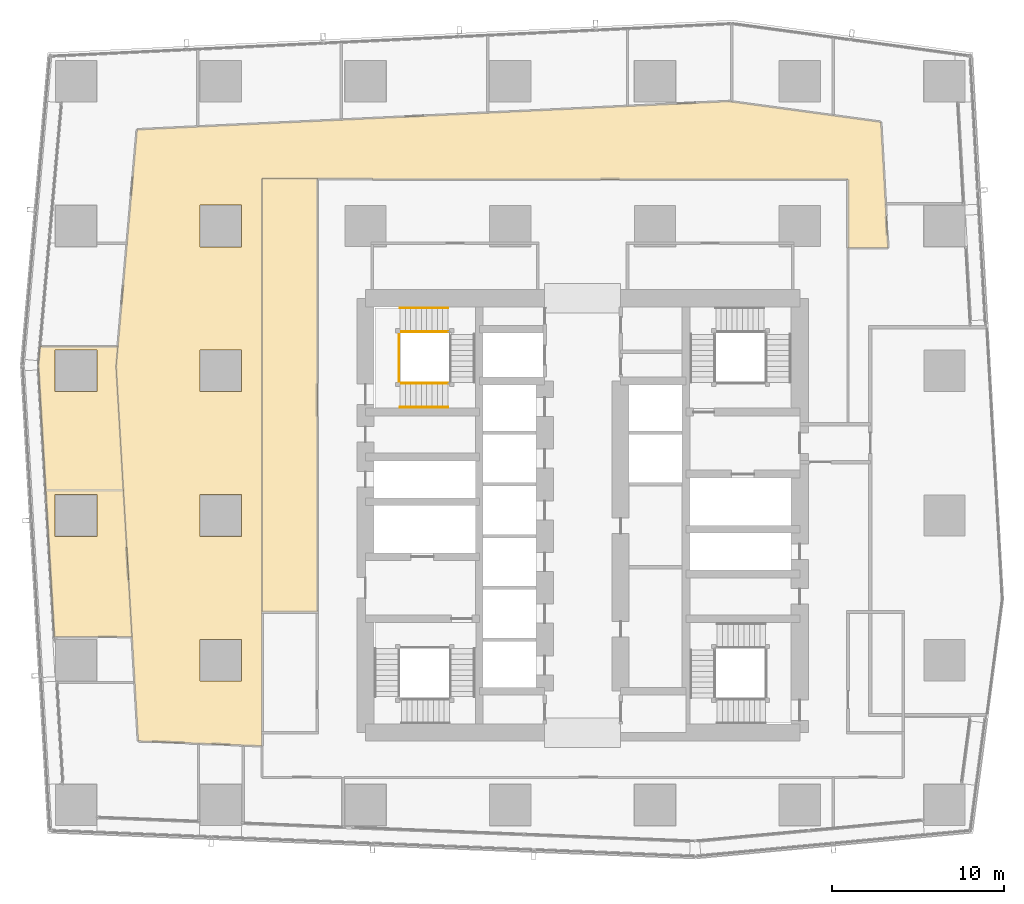
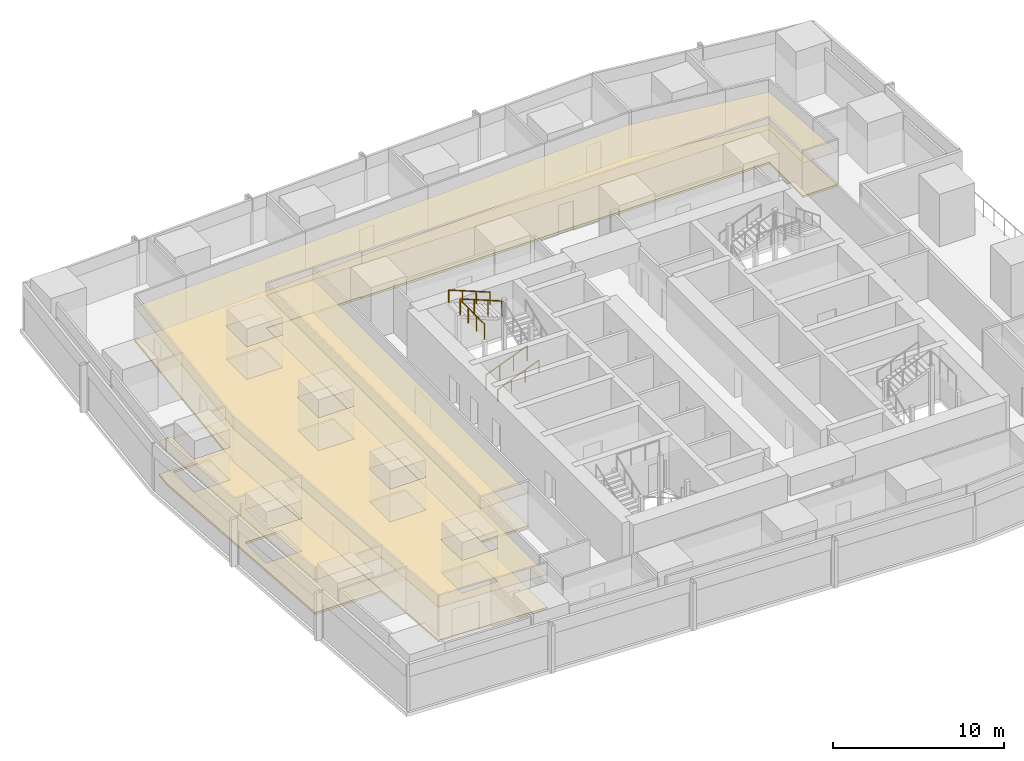
# One storey, part 29 of 34: 6 coverings, 5 railings.
"""IFC4 building model written with IfcOpenShell, lengths in metres."""

from ifc_helpers import new_model, si_unit, direction, frame, origin, origin_2d, place, context, subcontext, project, spatial, polyline, circle, outline, extrude, material, layer, layer_set, type_object, element, save


model = new_model("IFC4")

# Units and contexts
model_context = context("Model", 3, precision=1e-05, world=origin(), true_north=direction((0.0, 1.0)))
body_context = subcontext(model_context, "Body", "Model", "MODEL_VIEW")
ifc_project = project(units=[si_unit("LENGTHUNIT", "METRE"), si_unit("AREAUNIT", "SQUARE_METRE"), si_unit("VOLUMEUNIT", "CUBIC_METRE"), si_unit("PLANEANGLEUNIT", "RADIAN"), si_unit("MASSUNIT", "GRAM", prefix="KILO")], contexts=[model_context])

# Site, building, storey
site_placement = place(None, origin())
site = spatial("IfcSite", under=ifc_project, at=site_placement, CompositionType="ELEMENT")
building_placement = place(site_placement, origin())
building = spatial("IfcBuilding", under=site, at=building_placement, Name="Rekha Terrace Tower", CompositionType="ELEMENT")
storey_placement = place(building_placement, frame((0.0, 0.0, 236.449951171875)))
storey = spatial("IfcBuildingStorey", under=building, at=storey_placement, Name="L60", CompositionType="ELEMENT", Elevation=236.449951171875)

# Coverings
ifc_material_1 = material(Name="Mineral fibre tile in exposed grid", Category="finish")
ifc_layer_1 = layer(ifc_material_1, 0.02001953125)
ifc_layer_set_1 = layer_set([ifc_layer_1], Name="Mineral fibre tile in exposed grid")
covering_type_1 = type_object("IfcCoveringType", Name="CL1 600x1200 office grid ceiling", PredefinedType="CEILING", material=ifc_layer_set_1)
covering_1_placement = place(storey_placement, frame((0.0, 0.0, 2.47998046875)))
element("IfcCovering", 1, at=covering_1_placement, inside=storey, type_object=covering_type_1, Name="Ceiling L60-09", PredefinedType="CEILING", context=body_context, shape_type="SweptSolid", body=[
    extrude(outline(polyline([(10.825927734375, 43.39111328125), (6.30810546875, 43.39111328125), (6.212890625, 42.31494140625), (6.639892578125, 35.05810546875), (7.14111328125, 26.547119140625), (11.64892578125, 26.547119140625), (11.14794921875, 35.06103515625), (10.72509765625, 42.2490234375), (10.825927734375, 43.39111328125)]), holes=[polyline([(9.614990234375, 34.81494140625), (9.614990234375, 32.385009765625), (7.18505859375, 32.385009765625), (7.18505859375, 34.81494140625), (9.614990234375, 34.81494140625)]), polyline([(9.614990234375, 40.784912109375), (7.18505859375, 40.784912109375), (7.18505859375, 43.215087890625), (9.614990234375, 43.215087890625), (9.614990234375, 40.784912109375)])]), origin(), (0.0, 0.0, 1.0), 0.02001953125),
])
covering_2_placement = place(storey_placement, frame((0.0, 0.0, 2.47998046875)))
element("IfcCovering", 2, at=covering_2_placement, inside=storey, type_object=covering_type_1, Name="Ceiling L60-14", PredefinedType="CEILING", context=body_context, shape_type="SweptSolid", body=[
    extrude(outline(polyline([(19.199951171875, 53.14990234375), (19.199951171875, 28.0), (22.39990234375, 28.0), (22.39990234375, 53.14990234375), (19.199951171875, 53.14990234375)])), origin(), (0.0, 0.0, 1.0), 0.02001953125),
])
covering_3_placement = place(storey_placement, frame((0.0, 0.0, 2.47998046875)))
element("IfcCovering", 3, at=covering_3_placement, inside=storey, type_object=covering_type_1, Name="Ceiling L60-O1", PredefinedType="CEILING", context=body_context, shape_type="SweptSolid", body=[
    extrude(outline(polyline([(11.35595703125, 49.39697265625), (10.825927734375, 43.39111328125), (10.72509765625, 42.2490234375), (11.14892578125, 35.0439453125), (11.64990234375, 26.531005859375), (11.802978515625, 23.927001953125), (12.0048828125, 20.5048828125), (15.5439453125, 20.364013671875), (18.110107421875, 20.260986328125), (19.199951171875, 20.218017578125), (19.199951171875, 53.14990234375), (25.60009765625, 53.14990234375), (25.60009765625, 53.10009765625), (53.199951171875, 53.10009765625), (53.199951171875, 49.12890625), (55.52392578125, 49.12890625), (55.37890625, 51.673095703125), (55.10888671875, 56.43310546875), (52.340087890625, 56.81005859375), (46.444091796875, 57.612060546875), (46.281005859375, 57.634033203125), (40.385009765625, 57.35205078125), (32.284912109375, 56.965087890625), (23.778076171875, 56.55810546875), (15.450927734375, 56.159912109375), (11.93798828125, 55.992919921875), (11.35595703125, 49.39697265625)]), holes=[polyline([(18.014892578125, 23.985107421875), (15.5849609375, 23.985107421875), (15.5849609375, 26.4150390625), (18.014892578125, 26.4150390625), (18.014892578125, 23.985107421875)]), polyline([(18.014892578125, 32.385009765625), (15.5849609375, 32.385009765625), (15.5849609375, 34.81494140625), (18.014892578125, 34.81494140625), (18.014892578125, 32.385009765625)]), polyline([(18.014892578125, 43.215087890625), (18.014892578125, 40.784912109375), (15.5849609375, 40.784912109375), (15.5849609375, 43.215087890625), (18.014892578125, 43.215087890625)]), polyline([(18.014892578125, 51.614990234375), (18.014892578125, 49.18505859375), (15.5849609375, 49.18505859375), (15.5849609375, 51.614990234375), (18.014892578125, 51.614990234375)])]), origin(), (0.0, 0.0, 1.0), 0.02001953125),
])

# Railings
ifc_material_2 = material(Name="Stainless steel balustrade", Category="steel")
railing_type_1 = type_object("IfcRailingType", Name="GR1 1100 stair guard", PredefinedType="GUARDRAIL", material=ifc_material_2)
railing_1_placement = place(storey_placement, frame((27.199951171875, 41.264892578125, 0.125)))
element("IfcRailing", 4, at=railing_1_placement, inside=storey, type_object=railing_type_1, Name="Guard ST4 L60 flight 1", PredefinedType="GUARDRAIL", context=body_context, shape_type="SweptSolid", body=[
    extrude(circle(Radius=0.02392578125, at=origin_2d()), frame((0.0, 0.0, 1.076171875), z_axis=(0.927443287984, 0.0, 0.373963831907), x_axis=(0.0, 1.0, 0.0)), (0.0, 0.0, 1.0), 3.00830078125),
    extrude(circle(Radius=0.02099609375, at=origin_2d()), origin(), (0.0, 0.0, 1.0), 1.052001953125),
    extrude(circle(Radius=0.02099609375, at=origin_2d()), frame((0.929931640625, 0.0, 0.375)), (0.0, 0.0, 1.0), 1.052001953125),
    extrude(circle(Radius=0.02099609375, at=origin_2d()), frame((1.860107421875, 0.0, 0.75)), (0.0, 0.0, 1.0), 1.052001953125),
    extrude(circle(Radius=0.02099609375, at=origin_2d()), frame((2.7900390625, 0.0, 1.125)), (0.0, 0.0, 1.0), 1.052001953125),
])
railing_2_placement = place(storey_placement, frame((29.989990234375, 44.260009765625, 2.625)))
element("IfcRailing", 5, at=railing_2_placement, inside=storey, type_object=railing_type_1, Name="Guard ST4 L60 flight 3", PredefinedType="GUARDRAIL", context=body_context, shape_type="SweptSolid", body=[
    extrude(circle(Radius=0.02392578125, at=origin_2d()), frame((0.0, 0.0, 1.076171875), z_axis=(-0.927443287984, 0.0, 0.373963831907), x_axis=(0.0, -1.0, 0.0)), (0.0, 0.0, 1.0), 3.00830078125),
    extrude(circle(Radius=0.02099609375, at=origin_2d()), origin(), (0.0, 0.0, 1.0), 1.052001953125),
    extrude(circle(Radius=0.02099609375, at=origin_2d()), frame((-0.929931640625, 0.0, 0.375)), (0.0, 0.0, 1.0), 1.052001953125),
    extrude(circle(Radius=0.02099609375, at=origin_2d()), frame((-1.860107421875, 0.0, 0.75)), (0.0, 0.0, 1.0), 1.052001953125),
    extrude(circle(Radius=0.02099609375, at=origin_2d()), frame((-2.7900390625, 0.0, 1.125)), (0.0, 0.0, 1.0), 1.052001953125),
])
railing_3_placement = place(storey_placement, frame((27.139892578125, 41.324951171875, 3.75)))
element("IfcRailing", 6, at=railing_3_placement, inside=storey, type_object=railing_type_1, Name="Guard ST4 L60 landing 4", PredefinedType="GUARDRAIL", context=body_context, shape_type="SweptSolid", body=[
    extrude(circle(Radius=0.02392578125, at=origin_2d()), frame((0.0, 0.0, 1.076171875), z_axis=(0.0, 1.0, 0.0), x_axis=(-1.0, 0.0, 0.0)), (0.0, 0.0, 1.0), 2.875),
    extrude(circle(Radius=0.02099609375, at=origin_2d()), origin(), (0.0, 0.0, 1.0), 1.052001953125),
    extrude(circle(Radius=0.02099609375, at=origin_2d()), frame((0.0, 0.958251953125, 0.0)), (0.0, 0.0, 1.0), 1.052001953125),
    extrude(circle(Radius=0.02099609375, at=origin_2d()), frame((0.0, 1.916748046875, 0.0)), (0.0, 0.0, 1.0), 1.052001953125),
    extrude(circle(Radius=0.02099609375, at=origin_2d()), frame((0.0, 2.875, 0.0)), (0.0, 0.0, 1.0), 1.052001953125),
])
ifc_material_3 = material(Name="Stainless steel tube", Category="steel")
railing_type_2 = type_object("IfcRailingType", Name="HR1 900 stair handrail", PredefinedType="HANDRAIL", material=ifc_material_3)
railing_4_placement = place(storey_placement, frame((27.199951171875, 39.885009765625, 0.125)))
element("IfcRailing", 7, at=railing_4_placement, inside=storey, type_object=railing_type_2, Name="Handrail ST4 L60 flight 1", PredefinedType="HANDRAIL", context=body_context, shape_type="SweptSolid", body=[
    extrude(circle(Radius=0.02392578125, at=origin_2d()), frame((0.0, 0.0, 0.8759765625), z_axis=(0.927443287984, 0.0, 0.373963831907), x_axis=(0.0, 1.0, 0.0)), (0.0, 0.0, 1.0), 3.00830078125),
    extrude(circle(Radius=0.02099609375, at=origin_2d()), origin(), (0.0, 0.0, 1.0), 0.851806640625),
    extrude(circle(Radius=0.02099609375, at=origin_2d()), frame((0.929931640625, 0.0, 0.375)), (0.0, 0.0, 1.0), 0.851806640625),
    extrude(circle(Radius=0.02099609375, at=origin_2d()), frame((1.860107421875, 0.0, 0.75)), (0.0, 0.0, 1.0), 0.851806640625),
    extrude(circle(Radius=0.02099609375, at=origin_2d()), frame((2.7900390625, 0.0, 1.125)), (0.0, 0.0, 1.0), 0.851806640625),
])
railing_5_placement = place(storey_placement, frame((29.989990234375, 45.639892578125, 2.625)))
element("IfcRailing", 8, at=railing_5_placement, inside=storey, type_object=railing_type_2, Name="Handrail ST4 L60 flight 3", PredefinedType="HANDRAIL", context=body_context, shape_type="SweptSolid", body=[
    extrude(circle(Radius=0.02392578125, at=origin_2d()), frame((0.0, 0.0, 0.8759765625), z_axis=(-0.927443287984, 0.0, 0.373963831907), x_axis=(0.0, -1.0, 0.0)), (0.0, 0.0, 1.0), 3.00830078125),
    extrude(circle(Radius=0.02099609375, at=origin_2d()), origin(), (0.0, 0.0, 1.0), 0.851806640625),
    extrude(circle(Radius=0.02099609375, at=origin_2d()), frame((-0.929931640625, 0.0, 0.375)), (0.0, 0.0, 1.0), 0.851806640625),
    extrude(circle(Radius=0.02099609375, at=origin_2d()), frame((-1.860107421875, 0.0, 0.75)), (0.0, 0.0, 1.0), 0.851806640625),
    extrude(circle(Radius=0.02099609375, at=origin_2d()), frame((-2.7900390625, 0.0, 1.125)), (0.0, 0.0, 1.0), 0.851806640625),
])

# Coverings
ifc_material_4 = material(Name="Calcium sulphate panels on steel pedestals", Category="steel")
ifc_layer_2 = layer(ifc_material_4, 0.14990234375)
ifc_layer_set_2 = layer_set([ifc_layer_2], Name="Calcium sulphate panels on steel pedestals")
covering_type_2 = type_object("IfcCoveringType", Name="RF1 150 raised access floor", PredefinedType="FLOORING", material=ifc_layer_set_2)
covering_4_placement = place(storey_placement, origin())
element("IfcCovering", 9, at=covering_4_placement, inside=storey, type_object=covering_type_2, Name="Raised floor L60-09", PredefinedType="FLOORING", context=body_context, shape_type="SweptSolid", body=[
    extrude(outline(polyline([(10.825927734375, 43.39111328125), (6.30810546875, 43.39111328125), (6.212890625, 42.31494140625), (6.639892578125, 35.05810546875), (7.14111328125, 26.547119140625), (11.64892578125, 26.547119140625), (11.14794921875, 35.06103515625), (10.72509765625, 42.2490234375), (10.825927734375, 43.39111328125)]), holes=[polyline([(9.614990234375, 34.81494140625), (9.614990234375, 32.385009765625), (7.18505859375, 32.385009765625), (7.18505859375, 34.81494140625), (9.614990234375, 34.81494140625)]), polyline([(9.614990234375, 40.784912109375), (7.18505859375, 40.784912109375), (7.18505859375, 43.215087890625), (9.614990234375, 43.215087890625), (9.614990234375, 40.784912109375)])]), origin(), (0.0, 0.0, 1.0), 0.150146484375),
])
covering_5_placement = place(storey_placement, origin())
element("IfcCovering", 10, at=covering_5_placement, inside=storey, type_object=covering_type_2, Name="Raised floor L60-14", PredefinedType="FLOORING", context=body_context, shape_type="SweptSolid", body=[
    extrude(outline(polyline([(19.199951171875, 53.14990234375), (19.199951171875, 28.0), (22.39990234375, 28.0), (22.39990234375, 53.14990234375), (19.199951171875, 53.14990234375)])), origin(), (0.0, 0.0, 1.0), 0.150146484375),
])
covering_6_placement = place(storey_placement, origin())
element("IfcCovering", 11, at=covering_6_placement, inside=storey, type_object=covering_type_2, Name="Raised floor L60-O1", PredefinedType="FLOORING", context=body_context, shape_type="SweptSolid", body=[
    extrude(outline(polyline([(11.35595703125, 49.39697265625), (10.825927734375, 43.39111328125), (10.72509765625, 42.2490234375), (11.14892578125, 35.0439453125), (11.64990234375, 26.531005859375), (11.802978515625, 23.927001953125), (12.0048828125, 20.5048828125), (15.5439453125, 20.364013671875), (18.110107421875, 20.260986328125), (19.199951171875, 20.218017578125), (19.199951171875, 53.14990234375), (25.60009765625, 53.14990234375), (25.60009765625, 53.10009765625), (53.199951171875, 53.10009765625), (53.199951171875, 49.12890625), (55.52392578125, 49.12890625), (55.37890625, 51.673095703125), (55.10888671875, 56.43310546875), (52.340087890625, 56.81005859375), (46.444091796875, 57.612060546875), (46.281005859375, 57.634033203125), (40.385009765625, 57.35205078125), (32.284912109375, 56.965087890625), (23.778076171875, 56.55810546875), (15.450927734375, 56.159912109375), (11.93798828125, 55.992919921875), (11.35595703125, 49.39697265625)]), holes=[polyline([(18.014892578125, 23.985107421875), (15.5849609375, 23.985107421875), (15.5849609375, 26.4150390625), (18.014892578125, 26.4150390625), (18.014892578125, 23.985107421875)]), polyline([(18.014892578125, 32.385009765625), (15.5849609375, 32.385009765625), (15.5849609375, 34.81494140625), (18.014892578125, 34.81494140625), (18.014892578125, 32.385009765625)]), polyline([(18.014892578125, 43.215087890625), (18.014892578125, 40.784912109375), (15.5849609375, 40.784912109375), (15.5849609375, 43.215087890625), (18.014892578125, 43.215087890625)]), polyline([(18.014892578125, 51.614990234375), (18.014892578125, 49.18505859375), (15.5849609375, 49.18505859375), (15.5849609375, 51.614990234375), (18.014892578125, 51.614990234375)])]), origin(), (0.0, 0.0, 1.0), 0.150146484375),
])

save(model, "model.ifc")
